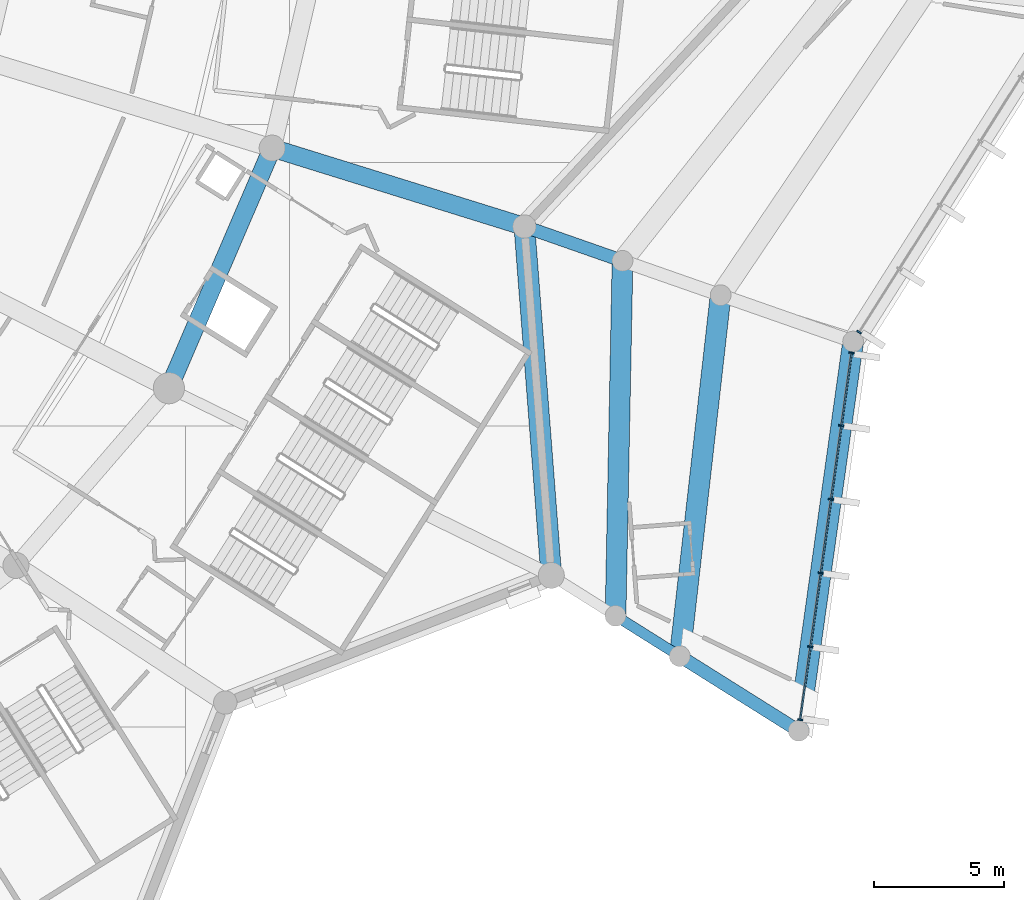
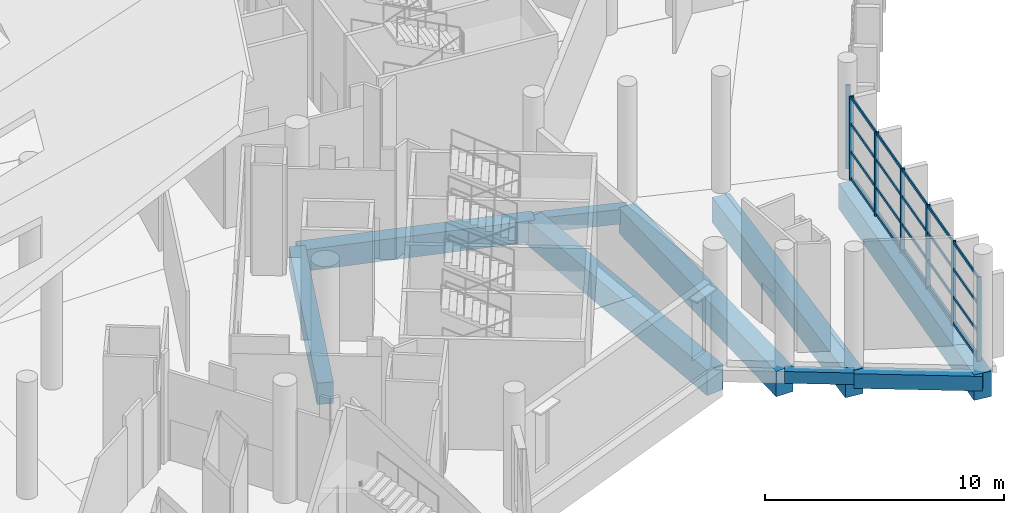
# One storey, part 39 of 249: 27 members, 9 beams, 2 elements without a shape of their own.
"""IFC4 building model written with IfcOpenShell, lengths in metres."""

from ifc_helpers import new_model, si_unit, direction, frame, origin, origin_2d, place, context, subcontext, project, spatial, rectangle, extrude, material, layer, layer_set, material_profile, profile_set, type_object, element, aggregate, save


model = new_model("IFC4")

# Units and contexts
model_context = context("Model", 3, precision=1e-05, world=origin(), true_north=direction((0.0, 1.0)))
body_context = subcontext(model_context, "Body", "Model", "MODEL_VIEW")
ifc_project = project(units=[si_unit("LENGTHUNIT", "METRE"), si_unit("AREAUNIT", "SQUARE_METRE"), si_unit("VOLUMEUNIT", "CUBIC_METRE"), si_unit("PLANEANGLEUNIT", "RADIAN"), si_unit("MASSUNIT", "GRAM", prefix="KILO")], contexts=[model_context])

# Site, building, storey
site_placement = place(None, origin())
site = spatial("IfcSite", under=ifc_project, at=site_placement, CompositionType="ELEMENT")
building_placement = place(site_placement, origin())
building = spatial("IfcBuilding", under=site, at=building_placement, Name="Meseta Stadium", CompositionType="ELEMENT")
storey_placement = place(building_placement, frame((0.0, 0.0, 12.0)))
storey = spatial("IfcBuildingStorey", under=building, at=storey_placement, Name="L02", CompositionType="ELEMENT", Elevation=12.0)

# Beams
ifc_material_1 = material(Name="Concrete C40/50", Category="concrete")
ifc_material_profile_1 = material_profile(ifc_material_1, rectangle(XDim=0.39990234375, YDim=0.60009765625, at=origin_2d()), Name="RC 400x600")
ifc_profile_set_1 = profile_set([ifc_material_profile_1], Name="Concrete C40/50")
beam_type_1 = type_object("IfcBeamType", Name="RC beam 400x600", PredefinedType="BEAM", material=ifc_profile_set_1)
beam_1_placement = place(storey_placement, frame((95.380126953125, -81.027587890625, -0.64990234375), z_axis=(0.846698986635, -0.532072200017, 0.0), x_axis=(0.532072200017, 0.846698986635, 0.0)))
element("IfcBeam", 1, at=beam_1_placement, inside=storey, type_object=beam_type_1, Name="L02 radial beam frame 54 line M to Q", PredefinedType="BEAM", context=body_context, shape_type="SweptSolid", body=[
    extrude(rectangle(XDim=0.39990234375, YDim=0.60009765625, at=origin_2d()), origin(), (0.0, 0.0, 1.0), 2.919189453125),
])
ifc_material_2 = material(Name="Concrete C40/50", Category="concrete")
ifc_material_profile_2 = material_profile(ifc_material_2, rectangle(XDim=0.5, YDim=0.75, at=origin_2d()), Name="RC 500x750")
ifc_profile_set_2 = profile_set([ifc_material_profile_2], Name="Concrete C40/50")
beam_type_2 = type_object("IfcBeamType", Name="RC beam 500x750", PredefinedType="BEAM", material=ifc_profile_set_2)
beam_2_placement = place(storey_placement, frame((97.851806640625, -82.580810546875, -0.72509765625), z_axis=(0.846748855747, -0.531992833871, 0.0), x_axis=(0.531992833871, 0.846748855747, 0.0)))
element("IfcBeam", 2, at=beam_2_placement, inside=storey, type_object=beam_type_2, Name="L02 radial beam frame 54 line Q to O", PredefinedType="BEAM", context=body_context, shape_type="SweptSolid", body=[
    extrude(rectangle(XDim=0.5, YDim=0.75, at=origin_2d()), origin(), (0.0, 0.0, 1.0), 5.400146484375),
])
beam_3_placement = place(storey_placement, frame((91.872802734375, -66.051513671875, -0.72509765625), z_axis=(0.943865968666, -0.330328674497, 0.0), x_axis=(0.330328674497, 0.943865968666, 0.0)))
element("IfcBeam", 3, at=beam_3_placement, inside=storey, type_object=beam_type_2, Name="L02 radial beam frame 55 line R to M", PredefinedType="BEAM", context=body_context, shape_type="SweptSolid", body=[
    extrude(rectangle(XDim=0.5, YDim=0.75, at=origin_2d()), origin(), (0.0, 0.0, 1.0), 4.0),
])
ifc_material_3 = material(Name="Concrete C40/50", Category="concrete")
ifc_material_profile_3 = material_profile(ifc_material_3, rectangle(XDim=0.699951171875, YDim=1.10009765625, at=origin_2d()), Name="RC 700x1100")
ifc_profile_set_3 = profile_set([ifc_material_profile_3], Name="Concrete C40/50")
beam_type_3 = type_object("IfcBeamType", Name="RC beam 700x1100", PredefinedType="BEAM", material=ifc_profile_set_3)
beam_4_placement = place(storey_placement, frame((78.197998046875, -72.27197265625, -0.89990234375), z_axis=(0.394921198525, 0.918714997676, 0.0), x_axis=(-0.918714997676, 0.394921198525, 0.0)))
element("IfcBeam", 4, at=beam_4_placement, inside=storey, type_object=beam_type_3, Name="L02 ring beam frame 54 line P", PredefinedType="BEAM", context=body_context, shape_type="SweptSolid", body=[
    extrude(rectangle(XDim=0.699951171875, YDim=1.10009765625, at=origin_2d()), origin(), (0.0, 0.0, 1.0), 10.0556640625),
])
beam_5_placement = place(storey_placement, frame((82.169189453125, -63.03369140625, -0.89990234375), z_axis=(0.954886907796, -0.296969684176, 0.0), x_axis=(0.296969684176, 0.954886907796, 0.0)))
element("IfcBeam", 5, at=beam_5_placement, inside=storey, type_object=beam_type_3, Name="L02 radial beam frame 55 line P to R", PredefinedType="BEAM", context=body_context, shape_type="SweptSolid", body=[
    extrude(rectangle(XDim=0.699951171875, YDim=1.10009765625, at=origin_2d()), origin(), (0.0, 0.0, 1.0), 10.162109375),
])
ifc_material_4 = material(Name="Concrete C40/50", Category="concrete")
ifc_material_profile_4 = material_profile(ifc_material_4, rectangle(XDim=0.800048828125, YDim=1.300048828125, at=origin_2d()), Name="RC 800x1300")
ifc_profile_set_4 = profile_set([ifc_material_profile_4], Name="Concrete C40/50")
beam_type_4 = type_object("IfcBeamType", Name="RC beam 800x1300", PredefinedType="BEAM", material=ifc_profile_set_4)
beam_6_placement = place(storey_placement, frame((92.908447265625, -79.474609375, -1.0), z_axis=(-0.076925307894, 0.997036858399, 0.0), x_axis=(-0.997036858399, -0.076925307894, 0.0)))
element("IfcBeam", 6, at=beam_6_placement, inside=storey, type_object=beam_type_4, Name="L02 ring beam frame 54 line R", PredefinedType="BEAM", context=body_context, shape_type="SweptSolid", body=[
    extrude(rectangle(XDim=0.800048828125, YDim=1.300048828125, at=origin_2d()), origin(), (0.0, 0.0, 1.0), 13.462890625),
])
beam_7_placement = place(storey_placement, frame((95.380126953125, -81.027587890625, -1.0), z_axis=(0.019627900499, 0.999807354205, 0.0), x_axis=(-0.999807354205, 0.019627900499, 0.0)))
element("IfcBeam", 7, at=beam_7_placement, inside=storey, type_object=beam_type_4, Name="L02 ring beam frame 54 line M", PredefinedType="BEAM", context=body_context, shape_type="SweptSolid", body=[
    extrude(rectangle(XDim=0.800048828125, YDim=1.300048828125, at=origin_2d()), origin(), (0.0, 0.0, 1.0), 13.657470703125),
])
beam_8_placement = place(storey_placement, frame((97.851806640625, -82.580810546875, -1.0), z_axis=(0.112482832054, 0.993653668283, 0.0), x_axis=(-0.993653668283, 0.112482832054, 0.0)))
element("IfcBeam", 8, at=beam_8_placement, inside=storey, type_object=beam_type_4, Name="L02 ring beam frame 54 line Q", PredefinedType="BEAM", context=body_context, shape_type="SweptSolid", body=[
    extrude(rectangle(XDim=0.800048828125, YDim=1.300048828125, at=origin_2d()), origin(), (0.0, 0.0, 1.0), 13.9755859375),
])
beam_9_placement = place(storey_placement, frame((102.42431640625, -85.45361328125, -1.0), z_axis=(0.138631693814, 0.990344007641, 0.0), x_axis=(-0.990344007641, 0.138631693814, 0.0)))
element("IfcBeam", 9, at=beam_9_placement, inside=storey, type_object=beam_type_4, Name="L02 ring beam frame 54 line O", PredefinedType="BEAM", context=body_context, shape_type="SweptSolid", body=[
    extrude(rectangle(XDim=0.800048828125, YDim=1.300048828125, at=origin_2d()), origin(), (0.0, 0.0, 1.0), 15.122314453125),
])

# Curtain wall, members
ifc_material_5 = material(Name="Aluminium", Category="aluminium")
ifc_layer = layer(ifc_material_5, 0.199951171875)
ifc_layer_set = layer_set([ifc_layer], Name="Ring shopfront curtain wall")
curtain_wall_type = type_object("IfcCurtainWallType", Name="Ring shopfront curtain wall", PredefinedType="NOTDEFINED", material=ifc_layer_set)
curtain_wall_1_placement = place(storey_placement, origin())
curtain_wall_1 = element("IfcCurtainWall", 10, at=curtain_wall_1_placement, inside=storey, type_object=curtain_wall_type, Name="Ring glazing L02 F54", PredefinedType="NOTDEFINED")
ifc_material_6 = material(Name="Aluminium", Category="aluminium")
ifc_material_profile_5 = material_profile(ifc_material_6, rectangle(XDim=0.199951171875, YDim=0.06005859375, at=origin_2d()), Name="CW 200x60")
ifc_profile_set_5 = profile_set([ifc_material_profile_5], Name="Aluminium")
member_type_1 = type_object("IfcMemberType", Name="Ring CW mullion 60x200", PredefinedType="MULLION", material=ifc_profile_set_5)
member_1_placement = place(storey_placement, frame((102.483642578125, -85.02783203125, 0.0), z_axis=(0.0, 0.0, 1.0), x_axis=(-0.990342456098, 0.13864277713, 0.0)))
member_1 = element("IfcMember", 11, at=member_1_placement, type_object=member_type_1, Name="CWR1 mullion 1", PredefinedType="MULLION", context=body_context, shape_type="SweptSolid", body=[
    extrude(rectangle(XDim=0.199951171875, YDim=0.06005859375, at=origin_2d()), origin(), (0.0, 0.0, 1.0), 4.300048828125),
])
member_2_placement = place(storey_placement, frame((102.876708984375, -82.220703125, 0.0), z_axis=(0.0, 0.0, 1.0), x_axis=(-0.990342456098, 0.13864277713, 0.0)))
member_2 = element("IfcMember", 12, at=member_2_placement, type_object=member_type_1, Name="CWR1 mullion 2", PredefinedType="MULLION", context=body_context, shape_type="SweptSolid", body=[
    extrude(rectangle(XDim=0.199951171875, YDim=0.06005859375, at=origin_2d()), origin(), (0.0, 0.0, 1.0), 4.300048828125),
])
member_3_placement = place(storey_placement, frame((103.27392578125, -79.3837890625, 0.0), z_axis=(0.0, 0.0, 1.0), x_axis=(-0.990342456098, 0.13864277713, 0.0)))
member_3 = element("IfcMember", 13, at=member_3_placement, type_object=member_type_1, Name="CWR1 mullion 3", PredefinedType="MULLION", context=body_context, shape_type="SweptSolid", body=[
    extrude(rectangle(XDim=0.199951171875, YDim=0.06005859375, at=origin_2d()), origin(), (0.0, 0.0, 1.0), 4.300048828125),
])
member_4_placement = place(storey_placement, frame((103.6708984375, -76.547119140625, 0.0), z_axis=(0.0, 0.0, 1.0), x_axis=(-0.990342456098, 0.13864277713, 0.0)))
member_4 = element("IfcMember", 14, at=member_4_placement, type_object=member_type_1, Name="CWR1 mullion 4", PredefinedType="MULLION", context=body_context, shape_type="SweptSolid", body=[
    extrude(rectangle(XDim=0.199951171875, YDim=0.06005859375, at=origin_2d()), origin(), (0.0, 0.0, 1.0), 4.300048828125),
])
member_5_placement = place(storey_placement, frame((104.068115234375, -73.710205078125, 0.0), z_axis=(0.0, 0.0, 1.0), x_axis=(-0.990342456098, 0.13864277713, 0.0)))
member_5 = element("IfcMember", 15, at=member_5_placement, type_object=member_type_1, Name="CWR1 mullion 5", PredefinedType="MULLION", context=body_context, shape_type="SweptSolid", body=[
    extrude(rectangle(XDim=0.199951171875, YDim=0.06005859375, at=origin_2d()), origin(), (0.0, 0.0, 1.0), 4.300048828125),
])
member_6_placement = place(storey_placement, frame((104.461181640625, -70.903076171875, 0.0), z_axis=(0.0, 0.0, 1.0), x_axis=(-0.990342456098, 0.13864277713, 0.0)))
member_6 = element("IfcMember", 16, at=member_6_placement, type_object=member_type_1, Name="CWR1 mullion 6", PredefinedType="MULLION", context=body_context, shape_type="SweptSolid", body=[
    extrude(rectangle(XDim=0.199951171875, YDim=0.06005859375, at=origin_2d()), origin(), (0.0, 0.0, 1.0), 4.300048828125),
])

# Curtain wall, member
curtain_wall_2_placement = place(storey_placement, origin())
curtain_wall_2 = element("IfcCurtainWall", 17, at=curtain_wall_2_placement, inside=storey, type_object=curtain_wall_type, Name="Ring glazing L02 F55", PredefinedType="NOTDEFINED")
member_7_placement = place(storey_placement, frame((104.7509765625, -70.1142578125, 0.0), z_axis=(0.0, 0.0, 1.0), x_axis=(-0.844491436677, 0.535569055659, 0.0)))
member_7 = element("IfcMember", 18, at=member_7_placement, type_object=member_type_1, Name="CWR1 mullion 1", PredefinedType="MULLION", context=body_context, shape_type="SweptSolid", body=[
    extrude(rectangle(XDim=0.199951171875, YDim=0.06005859375, at=origin_2d()), origin(), (0.0, 0.0, 1.0), 4.300048828125),
])
aggregate(curtain_wall_2, [member_7])

# Member
ifc_material_7 = material(Name="Aluminium", Category="aluminium")
ifc_material_profile_6 = material_profile(ifc_material_7, rectangle(XDim=0.06005859375, YDim=0.14990234375, at=origin_2d()), Name="CW 60x150")
ifc_profile_set_6 = profile_set([ifc_material_profile_6], Name="Aluminium")
member_type_2 = type_object("IfcMemberType", Name="Ring CW transom 60x150", PredefinedType="USERDEFINED", material=ifc_profile_set_6)
member_8_placement = place(storey_placement, frame((102.488037109375, -84.998046875, 0.074951171875), z_axis=(0.13859951186, 0.990348512046, 0.0), x_axis=(-0.990348512046, 0.13859951186, 0.0)))
member_8 = element("IfcMember", 19, at=member_8_placement, type_object=member_type_2, Name="CWR1 transom 1.1", ObjectType="TRANSOM", PredefinedType="USERDEFINED", context=body_context, shape_type="SweptSolid", body=[
    extrude(rectangle(XDim=0.06005859375, YDim=0.14990234375, at=origin_2d()), origin(), (0.0, 0.0, 1.0), 2.7744140625),
])

member_9_placement = place(storey_placement, frame((102.488037109375, -84.998046875, 1.433349609375), z_axis=(0.13859951186, 0.990348512046, 0.0), x_axis=(-0.990348512046, 0.13859951186, 0.0)))
member_9 = element("IfcMember", 20, at=member_9_placement, type_object=member_type_2, Name="CWR1 transom 1.2", ObjectType="TRANSOM", PredefinedType="USERDEFINED", context=body_context, shape_type="SweptSolid", body=[
    extrude(rectangle(XDim=0.06005859375, YDim=0.14990234375, at=origin_2d()), origin(), (0.0, 0.0, 1.0), 2.7744140625),
])

member_10_placement = place(storey_placement, frame((102.488037109375, -84.998046875, 2.86669921875), z_axis=(0.13859951186, 0.990348512046, 0.0), x_axis=(-0.990348512046, 0.13859951186, 0.0)))
member_10 = element("IfcMember", 21, at=member_10_placement, type_object=member_type_2, Name="CWR1 transom 1.3", ObjectType="TRANSOM", PredefinedType="USERDEFINED", context=body_context, shape_type="SweptSolid", body=[
    extrude(rectangle(XDim=0.06005859375, YDim=0.14990234375, at=origin_2d()), origin(), (0.0, 0.0, 1.0), 2.7744140625),
])

member_11_placement = place(storey_placement, frame((102.488037109375, -84.998046875, 4.22509765625), z_axis=(0.13859951186, 0.990348512046, 0.0), x_axis=(-0.990348512046, 0.13859951186, 0.0)))
member_11 = element("IfcMember", 22, at=member_11_placement, type_object=member_type_2, Name="CWR1 transom 1.4", ObjectType="TRANSOM", PredefinedType="USERDEFINED", context=body_context, shape_type="SweptSolid", body=[
    extrude(rectangle(XDim=0.06005859375, YDim=0.14990234375, at=origin_2d()), origin(), (0.0, 0.0, 1.0), 2.7744140625),
])

member_12_placement = place(storey_placement, frame((102.880859375, -82.19091796875, 0.074951171875), z_axis=(0.138678581808, 0.99033744297, 0.0), x_axis=(-0.99033744297, 0.138678581808, 0.0)))
member_12 = element("IfcMember", 23, at=member_12_placement, type_object=member_type_2, Name="CWR1 transom 2.1", ObjectType="TRANSOM", PredefinedType="USERDEFINED", context=body_context, shape_type="SweptSolid", body=[
    extrude(rectangle(XDim=0.06005859375, YDim=0.14990234375, at=origin_2d()), origin(), (0.0, 0.0, 1.0), 2.804443359375),
])

member_13_placement = place(storey_placement, frame((102.880859375, -82.19091796875, 1.433349609375), z_axis=(0.138678581808, 0.99033744297, 0.0), x_axis=(-0.99033744297, 0.138678581808, 0.0)))
member_13 = element("IfcMember", 24, at=member_13_placement, type_object=member_type_2, Name="CWR1 transom 2.2", ObjectType="TRANSOM", PredefinedType="USERDEFINED", context=body_context, shape_type="SweptSolid", body=[
    extrude(rectangle(XDim=0.06005859375, YDim=0.14990234375, at=origin_2d()), origin(), (0.0, 0.0, 1.0), 2.804443359375),
])

member_14_placement = place(storey_placement, frame((102.880859375, -82.19091796875, 2.86669921875), z_axis=(0.138678581808, 0.99033744297, 0.0), x_axis=(-0.99033744297, 0.138678581808, 0.0)))
member_14 = element("IfcMember", 25, at=member_14_placement, type_object=member_type_2, Name="CWR1 transom 2.3", ObjectType="TRANSOM", PredefinedType="USERDEFINED", context=body_context, shape_type="SweptSolid", body=[
    extrude(rectangle(XDim=0.06005859375, YDim=0.14990234375, at=origin_2d()), origin(), (0.0, 0.0, 1.0), 2.804443359375),
])

member_15_placement = place(storey_placement, frame((102.880859375, -82.19091796875, 4.22509765625), z_axis=(0.138678581808, 0.99033744297, 0.0), x_axis=(-0.99033744297, 0.138678581808, 0.0)))
member_15 = element("IfcMember", 26, at=member_15_placement, type_object=member_type_2, Name="CWR1 transom 2.4", ObjectType="TRANSOM", PredefinedType="USERDEFINED", context=body_context, shape_type="SweptSolid", body=[
    extrude(rectangle(XDim=0.06005859375, YDim=0.14990234375, at=origin_2d()), origin(), (0.0, 0.0, 1.0), 2.804443359375),
])

member_16_placement = place(storey_placement, frame((103.278076171875, -79.354248046875, 0.074951171875), z_axis=(0.138581251587, 0.990351067404, 0.0), x_axis=(-0.990351067404, 0.138581251587, 0.0)))
member_16 = element("IfcMember", 27, at=member_16_placement, type_object=member_type_2, Name="CWR1 transom 3.1", ObjectType="TRANSOM", PredefinedType="USERDEFINED", context=body_context, shape_type="SweptSolid", body=[
    extrude(rectangle(XDim=0.06005859375, YDim=0.14990234375, at=origin_2d()), origin(), (0.0, 0.0, 1.0), 2.8046875),
])

member_17_placement = place(storey_placement, frame((103.278076171875, -79.354248046875, 1.433349609375), z_axis=(0.138581251587, 0.990351067404, 0.0), x_axis=(-0.990351067404, 0.138581251587, 0.0)))
member_17 = element("IfcMember", 28, at=member_17_placement, type_object=member_type_2, Name="CWR1 transom 3.2", ObjectType="TRANSOM", PredefinedType="USERDEFINED", context=body_context, shape_type="SweptSolid", body=[
    extrude(rectangle(XDim=0.06005859375, YDim=0.14990234375, at=origin_2d()), origin(), (0.0, 0.0, 1.0), 2.8046875),
])

member_18_placement = place(storey_placement, frame((103.278076171875, -79.354248046875, 2.86669921875), z_axis=(0.138581251587, 0.990351067404, 0.0), x_axis=(-0.990351067404, 0.138581251587, 0.0)))
member_18 = element("IfcMember", 29, at=member_18_placement, type_object=member_type_2, Name="CWR1 transom 3.3", ObjectType="TRANSOM", PredefinedType="USERDEFINED", context=body_context, shape_type="SweptSolid", body=[
    extrude(rectangle(XDim=0.06005859375, YDim=0.14990234375, at=origin_2d()), origin(), (0.0, 0.0, 1.0), 2.8046875),
])

member_19_placement = place(storey_placement, frame((103.278076171875, -79.354248046875, 4.22509765625), z_axis=(0.138581251587, 0.990351067404, 0.0), x_axis=(-0.990351067404, 0.138581251587, 0.0)))
member_19 = element("IfcMember", 30, at=member_19_placement, type_object=member_type_2, Name="CWR1 transom 3.4", ObjectType="TRANSOM", PredefinedType="USERDEFINED", context=body_context, shape_type="SweptSolid", body=[
    extrude(rectangle(XDim=0.06005859375, YDim=0.14990234375, at=origin_2d()), origin(), (0.0, 0.0, 1.0), 2.8046875),
])

member_20_placement = place(storey_placement, frame((103.67529296875, -76.517333984375, 0.074951171875), z_axis=(0.138593199503, 0.990349395442, 0.0), x_axis=(-0.990349395442, 0.138593199503, 0.0)))
member_20 = element("IfcMember", 31, at=member_20_placement, type_object=member_type_2, Name="CWR1 transom 4.1", ObjectType="TRANSOM", PredefinedType="USERDEFINED", context=body_context, shape_type="SweptSolid", body=[
    extrude(rectangle(XDim=0.06005859375, YDim=0.14990234375, at=origin_2d()), origin(), (0.0, 0.0, 1.0), 2.804443359375),
])

member_21_placement = place(storey_placement, frame((103.67529296875, -76.517333984375, 1.433349609375), z_axis=(0.138593199503, 0.990349395442, 0.0), x_axis=(-0.990349395442, 0.138593199503, 0.0)))
member_21 = element("IfcMember", 32, at=member_21_placement, type_object=member_type_2, Name="CWR1 transom 4.2", ObjectType="TRANSOM", PredefinedType="USERDEFINED", context=body_context, shape_type="SweptSolid", body=[
    extrude(rectangle(XDim=0.06005859375, YDim=0.14990234375, at=origin_2d()), origin(), (0.0, 0.0, 1.0), 2.804443359375),
])

member_22_placement = place(storey_placement, frame((103.67529296875, -76.517333984375, 2.86669921875), z_axis=(0.138593199503, 0.990349395442, 0.0), x_axis=(-0.990349395442, 0.138593199503, 0.0)))
member_22 = element("IfcMember", 33, at=member_22_placement, type_object=member_type_2, Name="CWR1 transom 4.3", ObjectType="TRANSOM", PredefinedType="USERDEFINED", context=body_context, shape_type="SweptSolid", body=[
    extrude(rectangle(XDim=0.06005859375, YDim=0.14990234375, at=origin_2d()), origin(), (0.0, 0.0, 1.0), 2.804443359375),
])

member_23_placement = place(storey_placement, frame((103.67529296875, -76.517333984375, 4.22509765625), z_axis=(0.138593199503, 0.990349395442, 0.0), x_axis=(-0.990349395442, 0.138593199503, 0.0)))
member_23 = element("IfcMember", 34, at=member_23_placement, type_object=member_type_2, Name="CWR1 transom 4.4", ObjectType="TRANSOM", PredefinedType="USERDEFINED", context=body_context, shape_type="SweptSolid", body=[
    extrude(rectangle(XDim=0.06005859375, YDim=0.14990234375, at=origin_2d()), origin(), (0.0, 0.0, 1.0), 2.804443359375),
])

member_24_placement = place(storey_placement, frame((104.072265625, -73.680419921875, 0.074951171875), z_axis=(0.138685819512, 0.990336429435, 0.0), x_axis=(-0.990336429435, 0.138685819512, 0.0)))
member_24 = element("IfcMember", 35, at=member_24_placement, type_object=member_type_2, Name="CWR1 transom 5.1", ObjectType="TRANSOM", PredefinedType="USERDEFINED", context=body_context, shape_type="SweptSolid", body=[
    extrude(rectangle(XDim=0.06005859375, YDim=0.14990234375, at=origin_2d()), origin(), (0.0, 0.0, 1.0), 2.7744140625),
])

member_25_placement = place(storey_placement, frame((104.072265625, -73.680419921875, 1.433349609375), z_axis=(0.138685819512, 0.990336429435, 0.0), x_axis=(-0.990336429435, 0.138685819512, 0.0)))
member_25 = element("IfcMember", 36, at=member_25_placement, type_object=member_type_2, Name="CWR1 transom 5.2", ObjectType="TRANSOM", PredefinedType="USERDEFINED", context=body_context, shape_type="SweptSolid", body=[
    extrude(rectangle(XDim=0.06005859375, YDim=0.14990234375, at=origin_2d()), origin(), (0.0, 0.0, 1.0), 2.7744140625),
])

member_26_placement = place(storey_placement, frame((104.072265625, -73.680419921875, 2.86669921875), z_axis=(0.138685819512, 0.990336429435, 0.0), x_axis=(-0.990336429435, 0.138685819512, 0.0)))
member_26 = element("IfcMember", 37, at=member_26_placement, type_object=member_type_2, Name="CWR1 transom 5.3", ObjectType="TRANSOM", PredefinedType="USERDEFINED", context=body_context, shape_type="SweptSolid", body=[
    extrude(rectangle(XDim=0.06005859375, YDim=0.14990234375, at=origin_2d()), origin(), (0.0, 0.0, 1.0), 2.7744140625),
])

member_27_placement = place(storey_placement, frame((104.072265625, -73.680419921875, 4.22509765625), z_axis=(0.138685819512, 0.990336429435, 0.0), x_axis=(-0.990336429435, 0.138685819512, 0.0)))
member_27 = element("IfcMember", 38, at=member_27_placement, type_object=member_type_2, Name="CWR1 transom 5.4", ObjectType="TRANSOM", PredefinedType="USERDEFINED", context=body_context, shape_type="SweptSolid", body=[
    extrude(rectangle(XDim=0.06005859375, YDim=0.14990234375, at=origin_2d()), origin(), (0.0, 0.0, 1.0), 2.7744140625),
])

aggregate(curtain_wall_1, [member_1, member_2, member_3, member_4, member_5, member_6, member_8, member_9, member_10, member_11, member_12, member_13, member_14, member_15, member_16, member_17, member_18, member_19, member_20, member_21, member_22, member_23, member_24, member_25, member_26, member_27])

save(model, "model.ifc")
